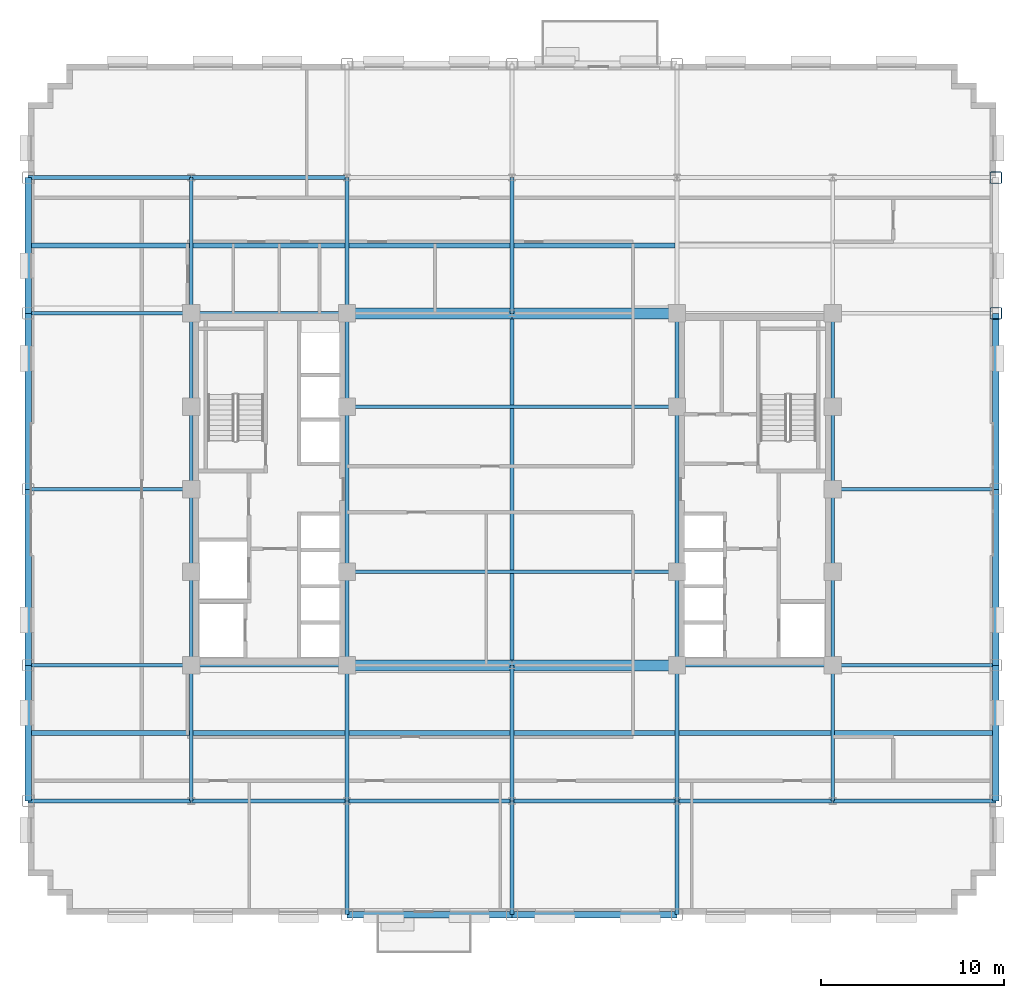
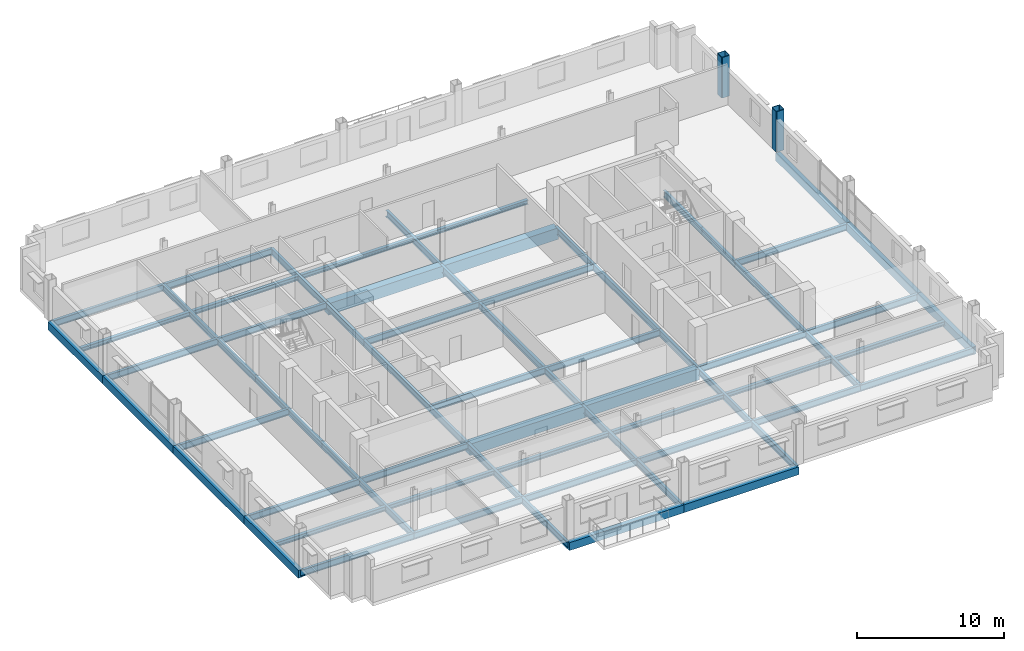
# One storey, part 4 of 15: 67 beams, 2 columns.
"""IFC4 building model written with IfcOpenShell, lengths in metres."""

from ifc_helpers import new_model, si_unit, direction, frame, origin, origin_2d, place, context, subcontext, project, spatial, rectangle, hollow_rectangle, i_section, extrude, material, material_profile, profile_set, type_object, element, save


model = new_model("IFC4")

# Units and contexts
model_context = context("Model", 3, precision=1e-05, world=origin(), true_north=direction((0.0, 1.0)))
body_context = subcontext(model_context, "Body", "Model", "MODEL_VIEW")
ifc_project = project(units=[si_unit("LENGTHUNIT", "METRE"), si_unit("AREAUNIT", "SQUARE_METRE"), si_unit("VOLUMEUNIT", "CUBIC_METRE"), si_unit("PLANEANGLEUNIT", "RADIAN"), si_unit("MASSUNIT", "GRAM", prefix="KILO")], contexts=[model_context])

# Site, building, storey
site_placement = place(None, origin())
site = spatial("IfcSite", under=ifc_project, at=site_placement, CompositionType="ELEMENT")
building_placement = place(site_placement, origin())
building = spatial("IfcBuilding", under=site, at=building_placement, Name="Nuvemarco Arch Tower", CompositionType="ELEMENT")
storey_placement = place(building_placement, frame((0.0, 0.0, 123.85009765625)))
storey = spatial("IfcBuildingStorey", under=building, at=storey_placement, Name="L32", CompositionType="ELEMENT", Elevation=123.85009765625)

# Columns
ifc_material_1 = material(Name="Steel S355", Category="steel")
ifc_material_profile_1 = material_profile(ifc_material_1, hollow_rectangle(XDim=0.64990234375, YDim=0.64990234375, WallThickness=0.0400390625, InnerFilletRadius=0.0400390625, OuterFilletRadius=0.080078125, at=origin_2d()), Name="SHS650x650x40")
ifc_profile_set_1 = profile_set([ifc_material_profile_1], Name="Steel S355")
column_type = type_object("IfcColumnType", Name="COL-EXO-650", PredefinedType="COLUMN", material=ifc_profile_set_1)
for number, where, z_axis, x_axis, name in (
    (1, (26.39990234375, 9.60009765625, 0.0), (0.0, 0.0, 1.0), (1.0, 0.0, 0.0), "L32 column CX_+26.4_+9.6"),
    (2, (26.39990234375, 17.0, 0.0), (0.0, 0.0, 1.0), (1.0, 0.0, 0.0), "L32 column CX_+26.4_+17.0"),
):
    element("IfcColumn", number, at=place(storey_placement, frame(where, z_axis=z_axis, x_axis=x_axis)), inside=storey, type_object=column_type, Name=name, PredefinedType="COLUMN", context=body_context, shape_type="SweptSolid", body=[
        extrude(hollow_rectangle(XDim=0.64990234375, YDim=0.64990234375, WallThickness=0.0400390625, InnerFilletRadius=0.0400390625, OuterFilletRadius=0.080078125, at=origin_2d()), origin(), (0.0, 0.0, 1.0), 3.369873046875),
    ])

# Beams
ifc_material_2 = material(Name="Concrete C60/75", Category="concrete")
ifc_material_profile_2 = material_profile(ifc_material_2, rectangle(XDim=0.60009765625, YDim=0.949951171875, at=origin_2d()), Name="RC-BM-600x950")
ifc_profile_set_2 = profile_set([ifc_material_profile_2], Name="Concrete C60/75")
beam_type_1 = type_object("IfcBeamType", Name="BM-COUP-RC", PredefinedType="LINTEL", material=ifc_profile_set_2)
for number, where, z_axis, x_axis, name in (
    (3, (-9.0, -9.60009765625, -0.755126953125), (1.0, 0.0, 0.0), (0.0, 1.0, 0.0), "L32 structural beam BGEW_L32_0_-9.6_-9.0"),
    (4, (0.0, -9.60009765625, -0.755126953125), (1.0, 0.0, 0.0), (0.0, 1.0, 0.0), "L32 structural beam BGEW_L32_0_-9.6_+0.0"),
    (5, (-9.0, 9.60009765625, -0.755126953125), (1.0, 0.0, 0.0), (0.0, 1.0, 0.0), "L32 structural beam BGEW_L32_0_+9.6_-9.0"),
    (6, (0.0, 9.60009765625, -0.755126953125), (1.0, 0.0, 0.0), (0.0, 1.0, 0.0), "L32 structural beam BGEW_L32_0_+9.6_+0.0"),
):
    element("IfcBeam", number, at=place(storey_placement, frame(where, z_axis=z_axis, x_axis=x_axis)), inside=storey, type_object=beam_type_1, Name=name, PredefinedType="LINTEL", context=body_context, shape_type="SweptSolid", body=[
        extrude(rectangle(XDim=0.60009765625, YDim=0.949951171875, at=origin_2d()), origin(), (0.0, 0.0, 1.0), 9.0),
    ])
ifc_material_profile_3 = material_profile(ifc_material_1, i_section(OverallWidth=0.2109375, OverallDepth=0.5390625, WebThickness=0.01171875, FlangeThickness=0.018798828125, FilletRadius=0.01611328125, at=origin_2d()), Name="W530x109")
ifc_profile_set_3 = profile_set([ifc_material_profile_3], Name="Steel S355")
beam_type_2 = type_object("IfcBeamType", Name="BM-GIRD-530", PredefinedType="BEAM", material=ifc_profile_set_3)
beam_1_placement = place(storey_placement, frame((-17.5, -17.0, -0.549560546875), z_axis=(0.0, 1.0, 0.0), x_axis=(-1.0, 0.0, 0.0)))
element("IfcBeam", 7, at=beam_1_placement, inside=storey, type_object=beam_type_2, Name="L32 structural beam BGNS_L32_0_-17.5_-17.0", PredefinedType="BEAM", context=body_context, shape_type="SweptSolid", body=[
    extrude(i_section(OverallWidth=0.2109375, OverallDepth=0.5390625, WebThickness=0.01171875, FlangeThickness=0.018798828125, FilletRadius=0.01611328125, at=origin_2d()), origin(), (0.0, 0.0, 1.0), 7.39990234375),
])
beam_2_placement = place(storey_placement, frame((-17.5, -9.60009765625, -0.549560546875), z_axis=(0.0, 1.0, 0.0), x_axis=(-1.0, 0.0, 0.0)))
element("IfcBeam", 8, at=beam_2_placement, inside=storey, type_object=beam_type_2, Name="L32 structural beam BGNS_L32_0_-17.5_-9.6", PredefinedType="BEAM", context=body_context, shape_type="SweptSolid", body=[
    extrude(i_section(OverallWidth=0.2109375, OverallDepth=0.5390625, WebThickness=0.01171875, FlangeThickness=0.018798828125, FilletRadius=0.01611328125, at=origin_2d()), origin(), (0.0, 0.0, 1.0), 5.10009765625),
])
for number, where, z_axis, x_axis, name in (
    (9, (-17.5, -4.5, -0.549560546875), (0.0, 1.0, 0.0), (-1.0, 0.0, 0.0), "L32 structural beam BGNS_L32_0_-17.5_-4.5"),
    (10, (-17.5, 0.0, -0.549560546875), (0.0, 1.0, 0.0), (-1.0, 0.0, 0.0), "L32 structural beam BGNS_L32_0_-17.5_+0.0"),
):
    element("IfcBeam", number, at=place(storey_placement, frame(where, z_axis=z_axis, x_axis=x_axis)), inside=storey, type_object=beam_type_2, Name=name, PredefinedType="BEAM", context=body_context, shape_type="SweptSolid", body=[
        extrude(i_section(OverallWidth=0.2109375, OverallDepth=0.5390625, WebThickness=0.01171875, FlangeThickness=0.018798828125, FilletRadius=0.01611328125, at=origin_2d()), origin(), (0.0, 0.0, 1.0), 4.5),
    ])
beam_3_placement = place(storey_placement, frame((-17.5, 4.5, -0.549560546875), z_axis=(0.0, 1.0, 0.0), x_axis=(-1.0, 0.0, 0.0)))
element("IfcBeam", 11, at=beam_3_placement, inside=storey, type_object=beam_type_2, Name="L32 structural beam BGNS_L32_0_-17.5_+4.5", PredefinedType="BEAM", context=body_context, shape_type="SweptSolid", body=[
    extrude(i_section(OverallWidth=0.2109375, OverallDepth=0.5390625, WebThickness=0.01171875, FlangeThickness=0.018798828125, FilletRadius=0.01611328125, at=origin_2d()), origin(), (0.0, 0.0, 1.0), 5.10009765625),
])
beam_4_placement = place(storey_placement, frame((-17.5, 9.60009765625, -0.549560546875), z_axis=(0.0, 1.0, 0.0), x_axis=(-1.0, 0.0, 0.0)))
element("IfcBeam", 12, at=beam_4_placement, inside=storey, type_object=beam_type_2, Name="L32 structural beam BGNS_L32_0_-17.5_+9.6", PredefinedType="BEAM", context=body_context, shape_type="SweptSolid", body=[
    extrude(i_section(OverallWidth=0.2109375, OverallDepth=0.5390625, WebThickness=0.01171875, FlangeThickness=0.018798828125, FilletRadius=0.01611328125, at=origin_2d()), origin(), (0.0, 0.0, 1.0), 7.39990234375),
])
beam_5_placement = place(storey_placement, frame((-9.0, -23.199951171875, -0.549560546875), z_axis=(0.0, 1.0, 0.0), x_axis=(-1.0, 0.0, 0.0)))
element("IfcBeam", 13, at=beam_5_placement, inside=storey, type_object=beam_type_2, Name="L32 structural beam BGNS_L32_0_-9.0_-23.2", PredefinedType="BEAM", context=body_context, shape_type="SweptSolid", body=[
    extrude(i_section(OverallWidth=0.2109375, OverallDepth=0.5390625, WebThickness=0.01171875, FlangeThickness=0.018798828125, FilletRadius=0.01611328125, at=origin_2d()), origin(), (0.0, 0.0, 1.0), 6.199951171875),
])
beam_6_placement = place(storey_placement, frame((-9.0, -17.0, -0.549560546875), z_axis=(0.0, 1.0, 0.0), x_axis=(-1.0, 0.0, 0.0)))
element("IfcBeam", 14, at=beam_6_placement, inside=storey, type_object=beam_type_2, Name="L32 structural beam BGNS_L32_0_-9.0_-17.0", PredefinedType="BEAM", context=body_context, shape_type="SweptSolid", body=[
    extrude(i_section(OverallWidth=0.2109375, OverallDepth=0.5390625, WebThickness=0.01171875, FlangeThickness=0.018798828125, FilletRadius=0.01611328125, at=origin_2d()), origin(), (0.0, 0.0, 1.0), 7.39990234375),
])
beam_7_placement = place(storey_placement, frame((-9.0, -9.60009765625, -0.549560546875), z_axis=(0.0, 1.0, 0.0), x_axis=(-1.0, 0.0, 0.0)))
element("IfcBeam", 15, at=beam_7_placement, inside=storey, type_object=beam_type_2, Name="L32 structural beam BGNS_L32_0_-9.0_-9.6", PredefinedType="BEAM", context=body_context, shape_type="SweptSolid", body=[
    extrude(i_section(OverallWidth=0.2109375, OverallDepth=0.5390625, WebThickness=0.01171875, FlangeThickness=0.018798828125, FilletRadius=0.01611328125, at=origin_2d()), origin(), (0.0, 0.0, 1.0), 5.10009765625),
])
beam_8_placement = place(storey_placement, frame((-9.0, -4.5, -0.549560546875), z_axis=(0.0, 1.0, 0.0), x_axis=(-1.0, 0.0, 0.0)))
element("IfcBeam", 16, at=beam_8_placement, inside=storey, type_object=beam_type_2, Name="L32 structural beam BGNS_L32_0_-9.0_-4.5", PredefinedType="BEAM", context=body_context, shape_type="SweptSolid", body=[
    extrude(i_section(OverallWidth=0.2109375, OverallDepth=0.5390625, WebThickness=0.01171875, FlangeThickness=0.018798828125, FilletRadius=0.01611328125, at=origin_2d()), origin(), (0.0, 0.0, 1.0), 9.0),
])
beam_9_placement = place(storey_placement, frame((-9.0, 4.5, -0.549560546875), z_axis=(0.0, 1.0, 0.0), x_axis=(-1.0, 0.0, 0.0)))
element("IfcBeam", 17, at=beam_9_placement, inside=storey, type_object=beam_type_2, Name="L32 structural beam BGNS_L32_0_-9.0_+4.5", PredefinedType="BEAM", context=body_context, shape_type="SweptSolid", body=[
    extrude(i_section(OverallWidth=0.2109375, OverallDepth=0.5390625, WebThickness=0.01171875, FlangeThickness=0.018798828125, FilletRadius=0.01611328125, at=origin_2d()), origin(), (0.0, 0.0, 1.0), 5.10009765625),
])
beam_10_placement = place(storey_placement, frame((-9.0, 9.60009765625, -0.549560546875), z_axis=(0.0, 1.0, 0.0), x_axis=(-1.0, 0.0, 0.0)))
element("IfcBeam", 18, at=beam_10_placement, inside=storey, type_object=beam_type_2, Name="L32 structural beam BGNS_L32_0_-9.0_+9.6", PredefinedType="BEAM", context=body_context, shape_type="SweptSolid", body=[
    extrude(i_section(OverallWidth=0.2109375, OverallDepth=0.5390625, WebThickness=0.01171875, FlangeThickness=0.018798828125, FilletRadius=0.01611328125, at=origin_2d()), origin(), (0.0, 0.0, 1.0), 7.39990234375),
])
beam_11_placement = place(storey_placement, frame((0.0, -23.199951171875, -0.549560546875), z_axis=(0.0, 1.0, 0.0), x_axis=(-1.0, 0.0, 0.0)))
element("IfcBeam", 19, at=beam_11_placement, inside=storey, type_object=beam_type_2, Name="L32 structural beam BGNS_L32_0_+0.0_-23.2", PredefinedType="BEAM", context=body_context, shape_type="SweptSolid", body=[
    extrude(i_section(OverallWidth=0.2109375, OverallDepth=0.5390625, WebThickness=0.01171875, FlangeThickness=0.018798828125, FilletRadius=0.01611328125, at=origin_2d()), origin(), (0.0, 0.0, 1.0), 6.199951171875),
])
beam_12_placement = place(storey_placement, frame((0.0, -17.0, -0.549560546875), z_axis=(0.0, 1.0, 0.0), x_axis=(-1.0, 0.0, 0.0)))
element("IfcBeam", 20, at=beam_12_placement, inside=storey, type_object=beam_type_2, Name="L32 structural beam BGNS_L32_0_+0.0_-17.0", PredefinedType="BEAM", context=body_context, shape_type="SweptSolid", body=[
    extrude(i_section(OverallWidth=0.2109375, OverallDepth=0.5390625, WebThickness=0.01171875, FlangeThickness=0.018798828125, FilletRadius=0.01611328125, at=origin_2d()), origin(), (0.0, 0.0, 1.0), 7.39990234375),
])
beam_13_placement = place(storey_placement, frame((0.0, -9.60009765625, -0.549560546875), z_axis=(0.0, 1.0, 0.0), x_axis=(-1.0, 0.0, 0.0)))
element("IfcBeam", 21, at=beam_13_placement, inside=storey, type_object=beam_type_2, Name="L32 structural beam BGNS_L32_0_+0.0_-9.6", PredefinedType="BEAM", context=body_context, shape_type="SweptSolid", body=[
    extrude(i_section(OverallWidth=0.2109375, OverallDepth=0.5390625, WebThickness=0.01171875, FlangeThickness=0.018798828125, FilletRadius=0.01611328125, at=origin_2d()), origin(), (0.0, 0.0, 1.0), 19.2001953125),
])
beam_14_placement = place(storey_placement, frame((0.0, 9.60009765625, -0.549560546875), z_axis=(0.0, 1.0, 0.0), x_axis=(-1.0, 0.0, 0.0)))
element("IfcBeam", 22, at=beam_14_placement, inside=storey, type_object=beam_type_2, Name="L32 structural beam BGNS_L32_0_+0.0_+9.6", PredefinedType="BEAM", context=body_context, shape_type="SweptSolid", body=[
    extrude(i_section(OverallWidth=0.2109375, OverallDepth=0.5390625, WebThickness=0.01171875, FlangeThickness=0.018798828125, FilletRadius=0.01611328125, at=origin_2d()), origin(), (0.0, 0.0, 1.0), 7.39990234375),
])
beam_15_placement = place(storey_placement, frame((9.0, -23.199951171875, -0.549560546875), z_axis=(0.0, 1.0, 0.0), x_axis=(-1.0, 0.0, 0.0)))
element("IfcBeam", 23, at=beam_15_placement, inside=storey, type_object=beam_type_2, Name="L32 structural beam BGNS_L32_0_+9.0_-23.2", PredefinedType="BEAM", context=body_context, shape_type="SweptSolid", body=[
    extrude(i_section(OverallWidth=0.2109375, OverallDepth=0.5390625, WebThickness=0.01171875, FlangeThickness=0.018798828125, FilletRadius=0.01611328125, at=origin_2d()), origin(), (0.0, 0.0, 1.0), 6.199951171875),
])
beam_16_placement = place(storey_placement, frame((9.0, -17.0, -0.549560546875), z_axis=(0.0, 1.0, 0.0), x_axis=(-1.0, 0.0, 0.0)))
element("IfcBeam", 24, at=beam_16_placement, inside=storey, type_object=beam_type_2, Name="L32 structural beam BGNS_L32_0_+9.0_-17.0", PredefinedType="BEAM", context=body_context, shape_type="SweptSolid", body=[
    extrude(i_section(OverallWidth=0.2109375, OverallDepth=0.5390625, WebThickness=0.01171875, FlangeThickness=0.018798828125, FilletRadius=0.01611328125, at=origin_2d()), origin(), (0.0, 0.0, 1.0), 7.39990234375),
])
beam_17_placement = place(storey_placement, frame((9.0, -9.60009765625, -0.549560546875), z_axis=(0.0, 1.0, 0.0), x_axis=(-1.0, 0.0, 0.0)))
element("IfcBeam", 25, at=beam_17_placement, inside=storey, type_object=beam_type_2, Name="L32 structural beam BGNS_L32_0_+9.0_-9.6", PredefinedType="BEAM", context=body_context, shape_type="SweptSolid", body=[
    extrude(i_section(OverallWidth=0.2109375, OverallDepth=0.5390625, WebThickness=0.01171875, FlangeThickness=0.018798828125, FilletRadius=0.01611328125, at=origin_2d()), origin(), (0.0, 0.0, 1.0), 5.10009765625),
])
beam_18_placement = place(storey_placement, frame((9.0, -4.5, -0.549560546875), z_axis=(0.0, 1.0, 0.0), x_axis=(-1.0, 0.0, 0.0)))
element("IfcBeam", 26, at=beam_18_placement, inside=storey, type_object=beam_type_2, Name="L32 structural beam BGNS_L32_0_+9.0_-4.5", PredefinedType="BEAM", context=body_context, shape_type="SweptSolid", body=[
    extrude(i_section(OverallWidth=0.2109375, OverallDepth=0.5390625, WebThickness=0.01171875, FlangeThickness=0.018798828125, FilletRadius=0.01611328125, at=origin_2d()), origin(), (0.0, 0.0, 1.0), 9.0),
])
beam_19_placement = place(storey_placement, frame((9.0, 4.5, -0.549560546875), z_axis=(0.0, 1.0, 0.0), x_axis=(-1.0, 0.0, 0.0)))
element("IfcBeam", 27, at=beam_19_placement, inside=storey, type_object=beam_type_2, Name="L32 structural beam BGNS_L32_0_+9.0_+4.5", PredefinedType="BEAM", context=body_context, shape_type="SweptSolid", body=[
    extrude(i_section(OverallWidth=0.2109375, OverallDepth=0.5390625, WebThickness=0.01171875, FlangeThickness=0.018798828125, FilletRadius=0.01611328125, at=origin_2d()), origin(), (0.0, 0.0, 1.0), 5.10009765625),
])
beam_20_placement = place(storey_placement, frame((17.5, -17.0, -0.549560546875), z_axis=(0.0, 1.0, 0.0), x_axis=(-1.0, 0.0, 0.0)))
element("IfcBeam", 28, at=beam_20_placement, inside=storey, type_object=beam_type_2, Name="L32 structural beam BGNS_L32_0_+17.5_-17.0", PredefinedType="BEAM", context=body_context, shape_type="SweptSolid", body=[
    extrude(i_section(OverallWidth=0.2109375, OverallDepth=0.5390625, WebThickness=0.01171875, FlangeThickness=0.018798828125, FilletRadius=0.01611328125, at=origin_2d()), origin(), (0.0, 0.0, 1.0), 7.39990234375),
])
beam_21_placement = place(storey_placement, frame((17.5, -9.60009765625, -0.549560546875), z_axis=(0.0, 1.0, 0.0), x_axis=(-1.0, 0.0, 0.0)))
element("IfcBeam", 29, at=beam_21_placement, inside=storey, type_object=beam_type_2, Name="L32 structural beam BGNS_L32_0_+17.5_-9.6", PredefinedType="BEAM", context=body_context, shape_type="SweptSolid", body=[
    extrude(i_section(OverallWidth=0.2109375, OverallDepth=0.5390625, WebThickness=0.01171875, FlangeThickness=0.018798828125, FilletRadius=0.01611328125, at=origin_2d()), origin(), (0.0, 0.0, 1.0), 5.10009765625),
])
for number, where, z_axis, x_axis, name in (
    (30, (17.5, -4.5, -0.549560546875), (0.0, 1.0, 0.0), (-1.0, 0.0, 0.0), "L32 structural beam BGNS_L32_0_+17.5_-4.5"),
    (31, (17.5, 0.0, -0.549560546875), (0.0, 1.0, 0.0), (-1.0, 0.0, 0.0), "L32 structural beam BGNS_L32_0_+17.5_+0.0"),
):
    element("IfcBeam", number, at=place(storey_placement, frame(where, z_axis=z_axis, x_axis=x_axis)), inside=storey, type_object=beam_type_2, Name=name, PredefinedType="BEAM", context=body_context, shape_type="SweptSolid", body=[
        extrude(i_section(OverallWidth=0.2109375, OverallDepth=0.5390625, WebThickness=0.01171875, FlangeThickness=0.018798828125, FilletRadius=0.01611328125, at=origin_2d()), origin(), (0.0, 0.0, 1.0), 4.5),
    ])
beam_22_placement = place(storey_placement, frame((17.5, 4.5, -0.549560546875), z_axis=(0.0, 1.0, 0.0), x_axis=(-1.0, 0.0, 0.0)))
element("IfcBeam", 32, at=beam_22_placement, inside=storey, type_object=beam_type_2, Name="L32 structural beam BGNS_L32_0_+17.5_+4.5", PredefinedType="BEAM", context=body_context, shape_type="SweptSolid", body=[
    extrude(i_section(OverallWidth=0.2109375, OverallDepth=0.5390625, WebThickness=0.01171875, FlangeThickness=0.018798828125, FilletRadius=0.01611328125, at=origin_2d()), origin(), (0.0, 0.0, 1.0), 5.10009765625),
])
beam_23_placement = place(storey_placement, frame((-26.39990234375, -17.0, -0.549560546875), z_axis=(1.0, 0.0, 0.0), x_axis=(0.0, 1.0, 0.0)))
element("IfcBeam", 33, at=beam_23_placement, inside=storey, type_object=beam_type_2, Name="L32 structural beam BGEW_L32_0_-17.0_-26.4", PredefinedType="BEAM", context=body_context, shape_type="SweptSolid", body=[
    extrude(i_section(OverallWidth=0.2109375, OverallDepth=0.5390625, WebThickness=0.01171875, FlangeThickness=0.018798828125, FilletRadius=0.01611328125, at=origin_2d()), origin(), (0.0, 0.0, 1.0), 8.89990234375),
])
beam_24_placement = place(storey_placement, frame((-17.5, -17.0, -0.549560546875), z_axis=(1.0, 0.0, 0.0), x_axis=(0.0, 1.0, 0.0)))
element("IfcBeam", 34, at=beam_24_placement, inside=storey, type_object=beam_type_2, Name="L32 structural beam BGEW_L32_0_-17.0_-17.5", PredefinedType="BEAM", context=body_context, shape_type="SweptSolid", body=[
    extrude(i_section(OverallWidth=0.2109375, OverallDepth=0.5390625, WebThickness=0.01171875, FlangeThickness=0.018798828125, FilletRadius=0.01611328125, at=origin_2d()), origin(), (0.0, 0.0, 1.0), 8.5),
])
for number, where, z_axis, x_axis, name in (
    (35, (-9.0, -17.0, -0.549560546875), (1.0, 0.0, 0.0), (0.0, 1.0, 0.0), "L32 structural beam BGEW_L32_0_-17.0_-9.0"),
    (36, (0.0, -17.0, -0.549560546875), (1.0, 0.0, 0.0), (0.0, 1.0, 0.0), "L32 structural beam BGEW_L32_0_-17.0_+0.0"),
):
    element("IfcBeam", number, at=place(storey_placement, frame(where, z_axis=z_axis, x_axis=x_axis)), inside=storey, type_object=beam_type_2, Name=name, PredefinedType="BEAM", context=body_context, shape_type="SweptSolid", body=[
        extrude(i_section(OverallWidth=0.2109375, OverallDepth=0.5390625, WebThickness=0.01171875, FlangeThickness=0.018798828125, FilletRadius=0.01611328125, at=origin_2d()), origin(), (0.0, 0.0, 1.0), 9.0),
    ])
beam_25_placement = place(storey_placement, frame((9.0, -17.0, -0.549560546875), z_axis=(1.0, 0.0, 0.0), x_axis=(0.0, 1.0, 0.0)))
element("IfcBeam", 37, at=beam_25_placement, inside=storey, type_object=beam_type_2, Name="L32 structural beam BGEW_L32_0_-17.0_+9.0", PredefinedType="BEAM", context=body_context, shape_type="SweptSolid", body=[
    extrude(i_section(OverallWidth=0.2109375, OverallDepth=0.5390625, WebThickness=0.01171875, FlangeThickness=0.018798828125, FilletRadius=0.01611328125, at=origin_2d()), origin(), (0.0, 0.0, 1.0), 8.5),
])
for number, where, z_axis, x_axis, name in (
    (38, (17.5, -17.0, -0.549560546875), (1.0, 0.0, 0.0), (0.0, 1.0, 0.0), "L32 structural beam BGEW_L32_0_-17.0_+17.5"),
    (39, (-26.39990234375, -9.60009765625, -0.549560546875), (1.0, 0.0, 0.0), (0.0, 1.0, 0.0), "L32 structural beam BGEW_L32_0_-9.6_-26.4"),
):
    element("IfcBeam", number, at=place(storey_placement, frame(where, z_axis=z_axis, x_axis=x_axis)), inside=storey, type_object=beam_type_2, Name=name, PredefinedType="BEAM", context=body_context, shape_type="SweptSolid", body=[
        extrude(i_section(OverallWidth=0.2109375, OverallDepth=0.5390625, WebThickness=0.01171875, FlangeThickness=0.018798828125, FilletRadius=0.01611328125, at=origin_2d()), origin(), (0.0, 0.0, 1.0), 8.89990234375),
    ])
for number, where, z_axis, x_axis, name in (
    (40, (-17.5, -9.60009765625, -0.549560546875), (1.0, 0.0, 0.0), (0.0, 1.0, 0.0), "L32 structural beam BGEW_L32_0_-9.6_-17.5"),
    (41, (9.0, -9.60009765625, -0.549560546875), (1.0, 0.0, 0.0), (0.0, 1.0, 0.0), "L32 structural beam BGEW_L32_0_-9.6_+9.0"),
):
    element("IfcBeam", number, at=place(storey_placement, frame(where, z_axis=z_axis, x_axis=x_axis)), inside=storey, type_object=beam_type_2, Name=name, PredefinedType="BEAM", context=body_context, shape_type="SweptSolid", body=[
        extrude(i_section(OverallWidth=0.2109375, OverallDepth=0.5390625, WebThickness=0.01171875, FlangeThickness=0.018798828125, FilletRadius=0.01611328125, at=origin_2d()), origin(), (0.0, 0.0, 1.0), 8.5),
    ])
beam_26_placement = place(storey_placement, frame((17.5, -9.60009765625, -0.549560546875), z_axis=(1.0, 0.0, 0.0), x_axis=(0.0, 1.0, 0.0)))
element("IfcBeam", 42, at=beam_26_placement, inside=storey, type_object=beam_type_2, Name="L32 structural beam BGEW_L32_0_-9.6_+17.5", PredefinedType="BEAM", context=body_context, shape_type="SweptSolid", body=[
    extrude(i_section(OverallWidth=0.2109375, OverallDepth=0.5390625, WebThickness=0.01171875, FlangeThickness=0.018798828125, FilletRadius=0.01611328125, at=origin_2d()), origin(), (0.0, 0.0, 1.0), 8.89990234375),
])
beam_27_placement = place(storey_placement, frame((-9.0, -4.5, -0.549560546875), z_axis=(1.0, 0.0, 0.0), x_axis=(0.0, 1.0, 0.0)))
element("IfcBeam", 43, at=beam_27_placement, inside=storey, type_object=beam_type_2, Name="L32 structural beam BGEW_L32_0_-4.5_-9.0", PredefinedType="BEAM", context=body_context, shape_type="SweptSolid", body=[
    extrude(i_section(OverallWidth=0.2109375, OverallDepth=0.5390625, WebThickness=0.01171875, FlangeThickness=0.018798828125, FilletRadius=0.01611328125, at=origin_2d()), origin(), (0.0, 0.0, 1.0), 18.0),
])
for number, where, z_axis, x_axis, name in (
    (44, (-26.39990234375, 0.0, -0.549560546875), (1.0, 0.0, 0.0), (0.0, 1.0, 0.0), "L32 structural beam BGEW_L32_0_+0.0_-26.4"),
    (45, (17.5, 0.0, -0.549560546875), (1.0, 0.0, 0.0), (0.0, 1.0, 0.0), "L32 structural beam BGEW_L32_0_+0.0_+17.5"),
):
    element("IfcBeam", number, at=place(storey_placement, frame(where, z_axis=z_axis, x_axis=x_axis)), inside=storey, type_object=beam_type_2, Name=name, PredefinedType="BEAM", context=body_context, shape_type="SweptSolid", body=[
        extrude(i_section(OverallWidth=0.2109375, OverallDepth=0.5390625, WebThickness=0.01171875, FlangeThickness=0.018798828125, FilletRadius=0.01611328125, at=origin_2d()), origin(), (0.0, 0.0, 1.0), 8.89990234375),
    ])
beam_28_placement = place(storey_placement, frame((-9.0, 4.5, -0.549560546875), z_axis=(1.0, 0.0, 0.0), x_axis=(0.0, 1.0, 0.0)))
element("IfcBeam", 46, at=beam_28_placement, inside=storey, type_object=beam_type_2, Name="L32 structural beam BGEW_L32_0_+4.5_-9.0", PredefinedType="BEAM", context=body_context, shape_type="SweptSolid", body=[
    extrude(i_section(OverallWidth=0.2109375, OverallDepth=0.5390625, WebThickness=0.01171875, FlangeThickness=0.018798828125, FilletRadius=0.01611328125, at=origin_2d()), origin(), (0.0, 0.0, 1.0), 18.0),
])
beam_29_placement = place(storey_placement, frame((-26.39990234375, 9.60009765625, -0.549560546875), z_axis=(1.0, 0.0, 0.0), x_axis=(0.0, 1.0, 0.0)))
element("IfcBeam", 47, at=beam_29_placement, inside=storey, type_object=beam_type_2, Name="L32 structural beam BGEW_L32_0_+9.6_-26.4", PredefinedType="BEAM", context=body_context, shape_type="SweptSolid", body=[
    extrude(i_section(OverallWidth=0.2109375, OverallDepth=0.5390625, WebThickness=0.01171875, FlangeThickness=0.018798828125, FilletRadius=0.01611328125, at=origin_2d()), origin(), (0.0, 0.0, 1.0), 8.89990234375),
])
beam_30_placement = place(storey_placement, frame((-17.5, 9.60009765625, -0.549560546875), z_axis=(1.0, 0.0, 0.0), x_axis=(0.0, 1.0, 0.0)))
element("IfcBeam", 48, at=beam_30_placement, inside=storey, type_object=beam_type_2, Name="L32 structural beam BGEW_L32_0_+9.6_-17.5", PredefinedType="BEAM", context=body_context, shape_type="SweptSolid", body=[
    extrude(i_section(OverallWidth=0.2109375, OverallDepth=0.5390625, WebThickness=0.01171875, FlangeThickness=0.018798828125, FilletRadius=0.01611328125, at=origin_2d()), origin(), (0.0, 0.0, 1.0), 8.5),
])
beam_31_placement = place(storey_placement, frame((-26.39990234375, 17.0, -0.549560546875), z_axis=(1.0, 0.0, 0.0), x_axis=(0.0, 1.0, 0.0)))
element("IfcBeam", 49, at=beam_31_placement, inside=storey, type_object=beam_type_2, Name="L32 structural beam BGEW_L32_0_+17.0_-26.4", PredefinedType="BEAM", context=body_context, shape_type="SweptSolid", body=[
    extrude(i_section(OverallWidth=0.2109375, OverallDepth=0.5390625, WebThickness=0.01171875, FlangeThickness=0.018798828125, FilletRadius=0.01611328125, at=origin_2d()), origin(), (0.0, 0.0, 1.0), 8.89990234375),
])
beam_32_placement = place(storey_placement, frame((-17.5, 17.0, -0.549560546875), z_axis=(1.0, 0.0, 0.0), x_axis=(0.0, 1.0, 0.0)))
element("IfcBeam", 50, at=beam_32_placement, inside=storey, type_object=beam_type_2, Name="L32 structural beam BGEW_L32_0_+17.0_-17.5", PredefinedType="BEAM", context=body_context, shape_type="SweptSolid", body=[
    extrude(i_section(OverallWidth=0.2109375, OverallDepth=0.5390625, WebThickness=0.01171875, FlangeThickness=0.018798828125, FilletRadius=0.01611328125, at=origin_2d()), origin(), (0.0, 0.0, 1.0), 8.5),
])
ifc_material_profile_4 = material_profile(ifc_material_1, i_section(OverallWidth=0.2548828125, OverallDepth=0.35693359375, WebThickness=0.010498046875, FlangeThickness=0.018310546875, FilletRadius=0.014892578125, at=origin_2d()), Name="W360x101")
ifc_profile_set_4 = profile_set([ifc_material_profile_4], Name="Steel S355")
beam_type_3 = type_object("IfcBeamType", Name="BM-JOIST-360H", PredefinedType="JOIST", material=ifc_profile_set_4)
beam_33_placement = place(storey_placement, frame((-26.22509765625, -13.300048828125, -0.45849609375), z_axis=(1.0, 0.0, 0.0), x_axis=(0.0, 1.0, 0.0)))
element("IfcBeam", 51, at=beam_33_placement, inside=storey, type_object=beam_type_3, Name="L32 structural beam BJ_L32_0_-13.3_-26.4", PredefinedType="JOIST", context=body_context, shape_type="SweptSolid", body=[
    extrude(i_section(OverallWidth=0.2548828125, OverallDepth=0.35693359375, WebThickness=0.010498046875, FlangeThickness=0.018310546875, FilletRadius=0.014892578125, at=origin_2d()), origin(), (0.0, 0.0, 1.0), 8.61962890625),
])
beam_34_placement = place(storey_placement, frame((-17.39453125, -13.300048828125, -0.45849609375), z_axis=(1.0, 0.0, 0.0), x_axis=(0.0, 1.0, 0.0)))
element("IfcBeam", 52, at=beam_34_placement, inside=storey, type_object=beam_type_3, Name="L32 structural beam BJ_L32_0_-13.3_-17.5", PredefinedType="JOIST", context=body_context, shape_type="SweptSolid", body=[
    extrude(i_section(OverallWidth=0.2548828125, OverallDepth=0.35693359375, WebThickness=0.010498046875, FlangeThickness=0.018310546875, FilletRadius=0.014892578125, at=origin_2d()), origin(), (0.0, 0.0, 1.0), 8.2890625),
])
for number, where, z_axis, x_axis, name in (
    (53, (-8.89453125, -13.300048828125, -0.45849609375), (1.0, 0.0, 0.0), (0.0, 1.0, 0.0), "L32 structural beam BJ_L32_0_-13.3_-9.0"),
    (54, (0.10546875, -13.300048828125, -0.45849609375), (1.0, 0.0, 0.0), (0.0, 1.0, 0.0), "L32 structural beam BJ_L32_0_-13.3_+0.0"),
):
    element("IfcBeam", number, at=place(storey_placement, frame(where, z_axis=z_axis, x_axis=x_axis)), inside=storey, type_object=beam_type_3, Name=name, PredefinedType="JOIST", context=body_context, shape_type="SweptSolid", body=[
        extrude(i_section(OverallWidth=0.2548828125, OverallDepth=0.35693359375, WebThickness=0.010498046875, FlangeThickness=0.018310546875, FilletRadius=0.014892578125, at=origin_2d()), origin(), (0.0, 0.0, 1.0), 8.7890625),
    ])
beam_35_placement = place(storey_placement, frame((9.10546875, -13.300048828125, -0.45849609375), z_axis=(1.0, 0.0, 0.0), x_axis=(0.0, 1.0, 0.0)))
element("IfcBeam", 55, at=beam_35_placement, inside=storey, type_object=beam_type_3, Name="L32 structural beam BJ_L32_0_-13.3_+9.0", PredefinedType="JOIST", context=body_context, shape_type="SweptSolid", body=[
    extrude(i_section(OverallWidth=0.2548828125, OverallDepth=0.35693359375, WebThickness=0.010498046875, FlangeThickness=0.018310546875, FilletRadius=0.014892578125, at=origin_2d()), origin(), (0.0, 0.0, 1.0), 8.2890625),
])
for number, where, z_axis, x_axis, name in (
    (56, (17.60546875, -13.300048828125, -0.45849609375), (1.0, 0.0, 0.0), (0.0, 1.0, 0.0), "L32 structural beam BJ_L32_0_-13.3_+17.5"),
    (57, (-26.22509765625, 13.300048828125, -0.45849609375), (1.0, 0.0, 0.0), (0.0, 1.0, 0.0), "L32 structural beam BJ_L32_0_+13.3_-26.4"),
):
    element("IfcBeam", number, at=place(storey_placement, frame(where, z_axis=z_axis, x_axis=x_axis)), inside=storey, type_object=beam_type_3, Name=name, PredefinedType="JOIST", context=body_context, shape_type="SweptSolid", body=[
        extrude(i_section(OverallWidth=0.2548828125, OverallDepth=0.35693359375, WebThickness=0.010498046875, FlangeThickness=0.018310546875, FilletRadius=0.014892578125, at=origin_2d()), origin(), (0.0, 0.0, 1.0), 8.61962890625),
    ])
beam_36_placement = place(storey_placement, frame((-17.39453125, 13.300048828125, -0.45849609375), z_axis=(1.0, 0.0, 0.0), x_axis=(0.0, 1.0, 0.0)))
element("IfcBeam", 58, at=beam_36_placement, inside=storey, type_object=beam_type_3, Name="L32 structural beam BJ_L32_0_+13.3_-17.5", PredefinedType="JOIST", context=body_context, shape_type="SweptSolid", body=[
    extrude(i_section(OverallWidth=0.2548828125, OverallDepth=0.35693359375, WebThickness=0.010498046875, FlangeThickness=0.018310546875, FilletRadius=0.014892578125, at=origin_2d()), origin(), (0.0, 0.0, 1.0), 8.2890625),
])
for number, where, z_axis, x_axis, name in (
    (59, (-8.89453125, 13.300048828125, -0.45849609375), (1.0, 0.0, 0.0), (0.0, 1.0, 0.0), "L32 structural beam BJ_L32_0_+13.3_-9.0"),
    (60, (0.10546875, 13.300048828125, -0.45849609375), (1.0, 0.0, 0.0), (0.0, 1.0, 0.0), "L32 structural beam BJ_L32_0_+13.3_+0.0"),
):
    element("IfcBeam", number, at=place(storey_placement, frame(where, z_axis=z_axis, x_axis=x_axis)), inside=storey, type_object=beam_type_3, Name=name, PredefinedType="JOIST", context=body_context, shape_type="SweptSolid", body=[
        extrude(i_section(OverallWidth=0.2548828125, OverallDepth=0.35693359375, WebThickness=0.010498046875, FlangeThickness=0.018310546875, FilletRadius=0.014892578125, at=origin_2d()), origin(), (0.0, 0.0, 1.0), 8.7890625),
    ])
ifc_material_3 = material(Name="Precast concrete C45/55", Category="concrete")
ifc_material_profile_5 = material_profile(ifc_material_3, rectangle(XDim=0.35009765625, YDim=0.64990234375, at=origin_2d()), Name="PC-SP-350x650")
ifc_profile_set_5 = profile_set([ifc_material_profile_5], Name="Precast concrete C45/55")
beam_type_4 = type_object("IfcBeamType", Name="BM-SPAN-RC", PredefinedType="SPANDREL", material=ifc_profile_set_5)
beam_37_placement = place(storey_placement, frame((-26.39990234375, -17.0, -0.60498046875), z_axis=(0.0, 1.0, 0.0), x_axis=(-1.0, 0.0, 0.0)))
element("IfcBeam", 61, at=beam_37_placement, inside=storey, type_object=beam_type_4, Name="L32 structural beam BGNS_L32_0_-26.4_-17.0", PredefinedType="SPANDREL", context=body_context, shape_type="SweptSolid", body=[
    extrude(rectangle(XDim=0.35009765625, YDim=0.64990234375, at=origin_2d()), origin(), (0.0, 0.0, 1.0), 7.39990234375),
])
for number, where, z_axis, x_axis, name in (
    (62, (-26.39990234375, -9.60009765625, -0.60498046875), (0.0, 1.0, 0.0), (-1.0, 0.0, 0.0), "L32 structural beam BGNS_L32_0_-26.4_-9.6"),
    (63, (-26.39990234375, 0.0, -0.60498046875), (0.0, 1.0, 0.0), (-1.0, 0.0, 0.0), "L32 structural beam BGNS_L32_0_-26.4_+0.0"),
):
    element("IfcBeam", number, at=place(storey_placement, frame(where, z_axis=z_axis, x_axis=x_axis)), inside=storey, type_object=beam_type_4, Name=name, PredefinedType="SPANDREL", context=body_context, shape_type="SweptSolid", body=[
        extrude(rectangle(XDim=0.35009765625, YDim=0.64990234375, at=origin_2d()), origin(), (0.0, 0.0, 1.0), 9.60009765625),
    ])
for number, where, z_axis, x_axis, name in (
    (64, (-26.39990234375, 9.60009765625, -0.60498046875), (0.0, 1.0, 0.0), (-1.0, 0.0, 0.0), "L32 structural beam BGNS_L32_0_-26.4_+9.6"),
    (65, (26.39990234375, -17.0, -0.60498046875), (0.0, 1.0, 0.0), (-1.0, 0.0, 0.0), "L32 structural beam BGNS_L32_0_+26.4_-17.0"),
):
    element("IfcBeam", number, at=place(storey_placement, frame(where, z_axis=z_axis, x_axis=x_axis)), inside=storey, type_object=beam_type_4, Name=name, PredefinedType="SPANDREL", context=body_context, shape_type="SweptSolid", body=[
        extrude(rectangle(XDim=0.35009765625, YDim=0.64990234375, at=origin_2d()), origin(), (0.0, 0.0, 1.0), 7.39990234375),
    ])
for number, where, z_axis, x_axis, name in (
    (66, (26.39990234375, -9.60009765625, -0.60498046875), (0.0, 1.0, 0.0), (-1.0, 0.0, 0.0), "L32 structural beam BGNS_L32_0_+26.4_-9.6"),
    (67, (26.39990234375, 0.0, -0.60498046875), (0.0, 1.0, 0.0), (-1.0, 0.0, 0.0), "L32 structural beam BGNS_L32_0_+26.4_+0.0"),
):
    element("IfcBeam", number, at=place(storey_placement, frame(where, z_axis=z_axis, x_axis=x_axis)), inside=storey, type_object=beam_type_4, Name=name, PredefinedType="SPANDREL", context=body_context, shape_type="SweptSolid", body=[
        extrude(rectangle(XDim=0.35009765625, YDim=0.64990234375, at=origin_2d()), origin(), (0.0, 0.0, 1.0), 9.60009765625),
    ])
for number, where, z_axis, x_axis, name in (
    (68, (-9.0, -23.199951171875, -0.60498046875), (1.0, 0.0, 0.0), (0.0, 1.0, 0.0), "L32 structural beam BGEW_L32_0_-23.2_-9.0"),
    (69, (0.0, -23.199951171875, -0.60498046875), (1.0, 0.0, 0.0), (0.0, 1.0, 0.0), "L32 structural beam BGEW_L32_0_-23.2_+0.0"),
):
    element("IfcBeam", number, at=place(storey_placement, frame(where, z_axis=z_axis, x_axis=x_axis)), inside=storey, type_object=beam_type_4, Name=name, PredefinedType="SPANDREL", context=body_context, shape_type="SweptSolid", body=[
        extrude(rectangle(XDim=0.35009765625, YDim=0.64990234375, at=origin_2d()), origin(), (0.0, 0.0, 1.0), 9.0),
    ])

save(model, "model.ifc")
